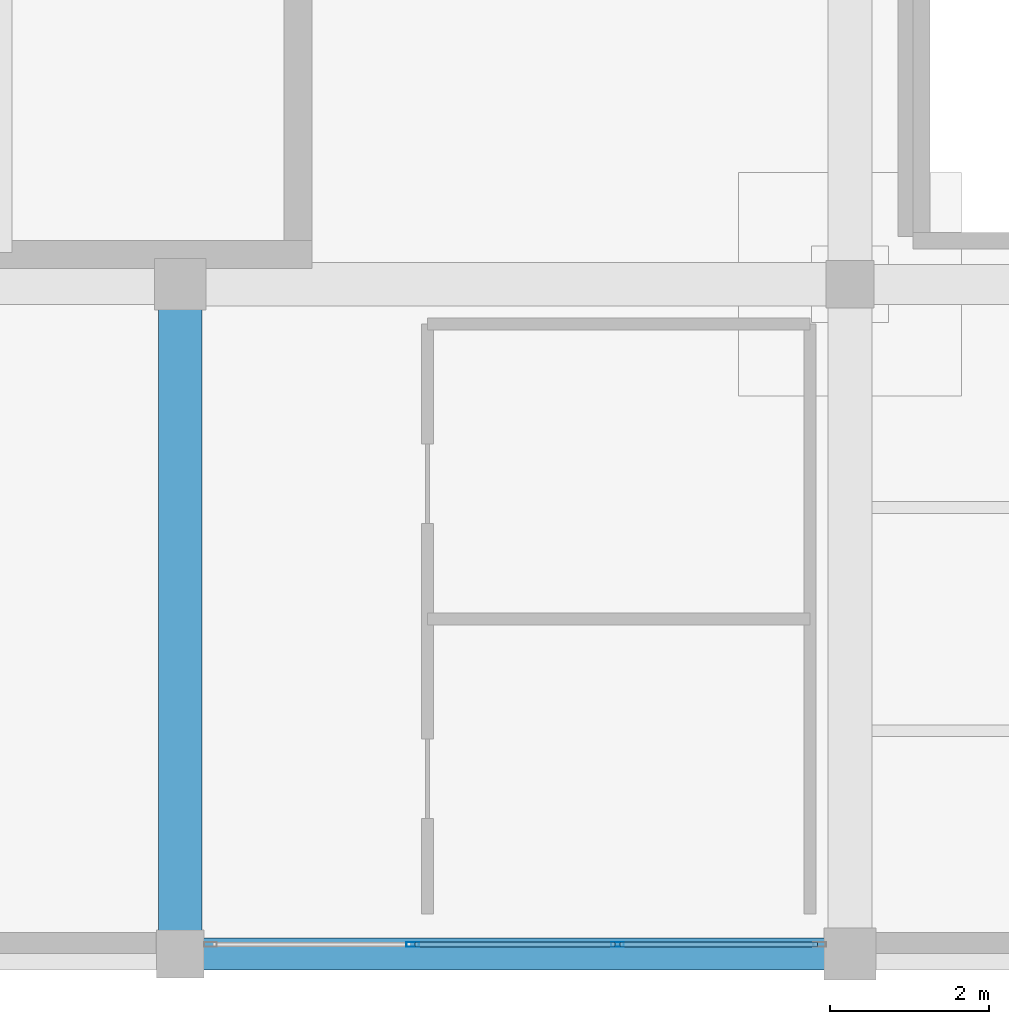
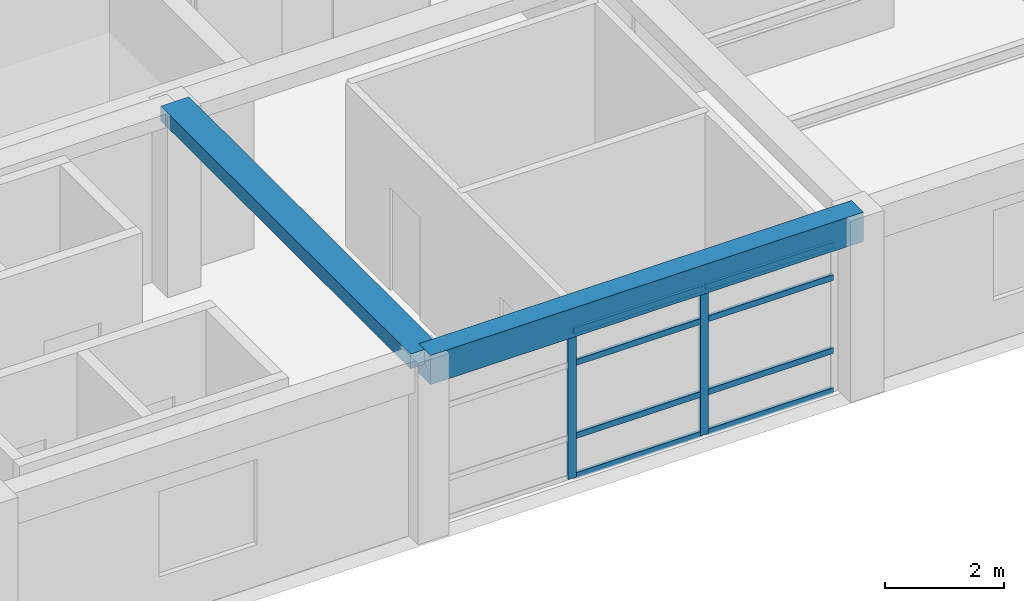
# One storey, part 3 of 26: 10 members, 2 beams, 1 element without a shape of its own.
"""IFC4 building model written with IfcOpenShell, lengths in metres."""

import ifcopenshell
import ifcopenshell.guid

model = None  # the IFC model being written
_history = None  # IfcOwnerHistory: only IFC2X3 demands one
_inside = {}  # id of a spatial element -> (the spatial element, [elements in it])
_under = {}  # id of a project, library or spatial element -> (it, [spatial elements below it])
_declared = {}  # id of a project -> (the project, [libraries it declares])
_typed = {}  # id of a type object -> (the type object, [elements of that type])
_made_of = {}  # id of a material, layer set ... -> (it, [elements and type objects made of it])


def new_model(schema):
    """Start an empty IFC model of exactly this schema.

    Asked for "IFC4X3", IfcOpenShell would pick the latest addendum, in which some entities
    have other attributes; the version numbers below select the first issue.
    IFC2X3 requires an IfcOwnerHistory on every rooted entity: one is made here for all.
    """
    global model, _history
    if schema == "IFC4X3":
        model = ifcopenshell.file(schema_version=(4, 3, 0, 0))
    else:
        model = ifcopenshell.file(schema=schema)
    _inside.clear()
    _under.clear()
    _declared.clear()
    _typed.clear()
    _made_of.clear()
    _history = None
    if model.schema == "IFC2X3":
        org = make("IfcOrganization", Name="unknown")
        user = make(
            "IfcPersonAndOrganization",
            ThePerson=make("IfcPerson", FamilyName="unknown"),
            TheOrganization=org,
        )
        app = make(
            "IfcApplication",
            ApplicationDeveloper=org,
            Version="unknown",
            ApplicationFullName="unknown",
            ApplicationIdentifier="unknown",
        )
        _history = make(
            "IfcOwnerHistory",
            OwningUser=user,
            OwningApplication=app,
            ChangeAction="ADDED",
            CreationDate=0,
        )
    return model


def make(cls, **values):
    """One entity of the class cls with the attributes given. An attribute that is None is left unset."""
    return model.create_entity(
        cls, **{name: value for name, value in values.items() if value is not None}
    )


def rooted(cls, **values):
    """An entity with a GlobalId (a new one), such as an element, a storey or a relation."""
    return make(cls, GlobalId=ifcopenshell.guid.new(), OwnerHistory=_history, **values)


def si_unit(unit_type, name, prefix=None):
    """IfcSIUnit, for example si_unit("LENGTHUNIT", "METRE", prefix="MILLI")."""
    return make("IfcSIUnit", UnitType=unit_type, Prefix=prefix, Name=name)


def assignment(units):
    """IfcUnitAssignment: the units of a project."""
    return None if units is None else make("IfcUnitAssignment", Units=units)


def point(xyz):
    """IfcCartesianPoint."""
    return None if xyz is None else make("IfcCartesianPoint", Coordinates=xyz)


def direction(xyz):
    """IfcDirection."""
    return None if xyz is None else make("IfcDirection", DirectionRatios=xyz)


def frame(location, z_axis=None, x_axis=None):
    """IfcAxis2Placement3D, a coordinate frame: its origin and axes. An axis left out is left unset."""
    return make(
        "IfcAxis2Placement3D",
        Location=point(location),
        Axis=direction(z_axis),
        RefDirection=direction(x_axis),
    )


def frame_2d(location, x_axis=None):
    """IfcAxis2Placement2D, a coordinate frame in the plane: its origin and x axis."""
    return make(
        "IfcAxis2Placement2D", Location=point(location), RefDirection=direction(x_axis)
    )


def origin():
    """The frame at (0, 0, 0) with its axes left unset."""
    return frame((0.0, 0.0, 0.0))


def origin_2d():
    """The frame at (0, 0) in the plane with its x axis left unset."""
    return frame_2d((0.0, 0.0))


def place(relative_to, where):
    """IfcLocalPlacement: puts the frame where relative to a parent placement (None: the world)."""
    return make(
        "IfcLocalPlacement", PlacementRelTo=relative_to, RelativePlacement=where
    )


def context(
    kind, dimensions, precision=None, world=None, true_north=None, identifier=None
):
    """IfcGeometricRepresentationContext, for example the 3D "Model" context."""
    return make(
        "IfcGeometricRepresentationContext",
        ContextIdentifier=identifier,
        ContextType=kind,
        CoordinateSpaceDimension=dimensions,
        Precision=precision,
        WorldCoordinateSystem=world,
        TrueNorth=true_north,
    )


def subcontext(parent, identifier, kind, view, scale=None):
    """IfcGeometricRepresentationSubContext, for example "Body" below "Model"."""
    return make(
        "IfcGeometricRepresentationSubContext",
        ContextIdentifier=identifier,
        ContextType=kind,
        ParentContext=parent,
        TargetScale=scale,
        TargetView=view,
    )


def project(units=None, contexts=None):
    """IfcProject with its units and contexts."""
    return rooted(
        "IfcProject",
        Name="project",
        RepresentationContexts=contexts,
        UnitsInContext=assignment(units),
    )


def spatial(cls, under=None, at=None, **own):
    """A site, building, storey or space (cls), placed at a placement, below another one or the project."""
    s = rooted(cls, ObjectPlacement=at, **own)
    if under is not None:
        _under.setdefault(under.id(), (under, []))[1].append(s)
    return s


def profile(cls, at=None, kind="AREA", **sizes):
    """A parametric profile (cls). Its sizes go by their IFC names, for example OverallWidth=200.0."""
    return make(cls, ProfileType=kind, Position=at, **sizes)


def rectangle(**sizes):
    """IfcRectangleProfileDef."""
    return profile("IfcRectangleProfileDef", **sizes)


def hollow_rectangle(**sizes):
    """IfcRectangleHollowProfileDef."""
    return profile("IfcRectangleHollowProfileDef", **sizes)


def extrude(swept, where, along, depth):
    """IfcExtrudedAreaSolid: the profile swept, set in the frame where, extruded along a direction by depth."""
    return make(
        "IfcExtrudedAreaSolid",
        SweptArea=swept,
        Position=where,
        ExtrudedDirection=direction(along),
        Depth=depth,
    )


def shape(context_of_items, identifier, shape_type, items):
    """IfcShapeRepresentation: the items that make up one representation, for example the "Body"."""
    return make(
        "IfcShapeRepresentation",
        ContextOfItems=context_of_items,
        RepresentationIdentifier=identifier,
        RepresentationType=shape_type,
        Items=items,
    )


def material(Name=None, Category=None):
    """IfcMaterial."""
    return make("IfcMaterial", Name=Name, Category=Category)


def material_profile(
    of_material, cross_section, Name=None, Category=None, Priority=None
):
    """IfcMaterialProfile: a cross section and its material."""
    return make(
        "IfcMaterialProfile",
        Name=Name,
        Material=of_material,
        Profile=cross_section,
        Priority=Priority,
        Category=Category,
    )


def profile_set(profiles, Name=None, composite=None):
    """IfcMaterialProfileSet."""
    return make(
        "IfcMaterialProfileSet",
        Name=Name,
        MaterialProfiles=profiles,
        CompositeProfile=composite,
    )


def made_of(thing, what):
    """Note that an element or type object is made of a material, layer set ...; save() writes the relation."""
    if what is not None:
        _made_of.setdefault(what.id(), (what, []))[1].append(thing)
    return thing


def type_object(cls, material=None, **own):
    """A type object (cls), such as IfcWallType, which elements share."""
    return made_of(rooted(cls, **own), material)


def element(
    cls,
    number,
    at=None,
    inside=None,
    cuts=None,
    type_object=None,
    material=None,
    context=None,
    identifier="Body",
    shape_type=None,
    held_by="IfcProductDefinitionShape",
    body=None,
    shapes=None,
    **own,
):
    """One element of the class cls, such as IfcWall. Its Tag is "e" and its number.

    at: its placement. inside: the storey or other place that contains it. cuts: it is an
    opening in that element (IfcRelVoidsElement). A single representation is given by context,
    identifier, shape_type and body (its items); several are given by shapes. held_by: the class
    of the entity that holds the representations. save() writes the other relations.
    """
    e = rooted(cls, Tag="e%d" % number, ObjectPlacement=at, **own)
    if body is not None:
        shapes = [shape(context, identifier, shape_type, body)]
    if shapes is not None:
        e.Representation = make(held_by, Representations=shapes)
    if inside is not None:
        _inside.setdefault(inside.id(), (inside, []))[1].append(e)
    if cuts is not None:
        rooted(
            "IfcRelVoidsElement", RelatingBuildingElement=cuts, RelatedOpeningElement=e
        )
    if type_object is not None:
        _typed.setdefault(type_object.id(), (type_object, []))[1].append(e)
    return made_of(e, material)


def aggregate(whole, parts):
    """IfcRelAggregates: a whole, such as a stair, and the parts it consists of."""
    return rooted("IfcRelAggregates", RelatingObject=whole, RelatedObjects=parts)


def save(model, path):
    """Write the relations noted so far, then the file.

    IfcRelAggregates (storeys below a building ...), IfcRelContainedInSpatialStructure (elements
    in a storey), IfcRelDefinesByType, IfcRelAssociatesMaterial and IfcRelDeclares: one each for
    every whole, place, type object, material and project.
    """
    for whole, parts in _under.values():
        aggregate(whole, parts)
    for where, things in _inside.values():
        rooted(
            "IfcRelContainedInSpatialStructure",
            RelatedElements=things,
            RelatingStructure=where,
        )
    for kind, things in _typed.values():
        rooted("IfcRelDefinesByType", RelatedObjects=things, RelatingType=kind)
    for what, things in _made_of.values():
        rooted("IfcRelAssociatesMaterial", RelatedObjects=things, RelatingMaterial=what)
    for by, libraries in _declared.values():
        rooted("IfcRelDeclares", RelatingContext=by, RelatedDefinitions=libraries)
    model.write(path)


model = new_model("IFC4")

# Units and contexts
model_context = context("Model", 3, precision=1e-05, world=origin(), true_north=direction((0.0, 1.0)))
body_context = subcontext(model_context, "Body", "Model", "MODEL_VIEW")
ifc_project = project(units=[si_unit("LENGTHUNIT", "METRE"), si_unit("AREAUNIT", "SQUARE_METRE"), si_unit("VOLUMEUNIT", "CUBIC_METRE"), si_unit("PLANEANGLEUNIT", "RADIAN"), si_unit("MASSUNIT", "GRAM", prefix="KILO")], contexts=[model_context])

# Site, building, storey
site_placement = place(None, origin())
site = spatial("IfcSite", under=ifc_project, at=site_placement, CompositionType="ELEMENT")
building_placement = place(site_placement, origin())
building = spatial("IfcBuilding", under=site, at=building_placement, Name="Almacenes y Pasaje Nevantli", CompositionType="ELEMENT")
storey_placement = place(building_placement, frame((0.0, 0.0, 54.699951171875)))
storey = spatial("IfcBuildingStorey", under=building, at=storey_placement, Name="L13", CompositionType="ELEMENT", Elevation=54.699951171875)

# Beams
ifc_material_1 = material(Name="Concrete C35/45", Category="concrete")
ifc_material_profile_1 = material_profile(ifc_material_1, rectangle(XDim=0.39990234375, YDim=0.60009765625, at=origin_2d()), Name="RC-BM-400x600")
ifc_profile_set_1 = profile_set([ifc_material_profile_1], Name="Concrete C35/45")
beam_type_1 = type_object("IfcBeamType", Name="BM-RC-400x600", PredefinedType="SPANDREL", material=ifc_profile_set_1)
beam_1_placement = place(storey_placement, frame((126.0, 67.199951171875, 3.420166015625), z_axis=(1.0, 0.0, 0.0), x_axis=(0.0, 1.0, 0.0)))
element("IfcBeam", 1, at=beam_1_placement, inside=storey, type_object=beam_type_1, Name="L13 East-West Reinforced Concrete Beam #3939", PredefinedType="SPANDREL", context=body_context, shape_type="SweptSolid", body=[
    extrude(rectangle(XDim=0.39990234375, YDim=0.60009765625, at=origin_2d()), origin(), (0.0, 0.0, 1.0), 8.39990234375),
])
ifc_material_2 = material(Name="Concrete C35/45", Category="concrete")
ifc_material_profile_2 = material_profile(ifc_material_2, rectangle(XDim=0.550048828125, YDim=0.300048828125, at=origin_2d()), Name="RC-BM-550x300")
ifc_profile_set_2 = profile_set([ifc_material_profile_2], Name="Concrete C35/45")
beam_type_2 = type_object("IfcBeamType", Name="BM-RC-550x300", PredefinedType="BEAM", material=ifc_profile_set_2)
beam_2_placement = place(storey_placement, frame((126.0, 67.199951171875, 3.570068359375), z_axis=(0.0, 1.0, 0.0), x_axis=(-1.0, 0.0, 0.0)))
element("IfcBeam", 2, at=beam_2_placement, inside=storey, type_object=beam_type_2, Name="L13 North-South Reinforced Concrete Beam #3967", PredefinedType="BEAM", context=body_context, shape_type="SweptSolid", body=[
    extrude(rectangle(XDim=0.550048828125, YDim=0.300048828125, at=origin_2d()), origin(), (0.0, 0.0, 1.0), 8.400146484375),
])

# Curtain wall, members
ifc_material_3 = material(Name="Thermally Broken Aluminium and Low-E Glass", Category="aluminium")
curtain_wall_type = type_object("IfcCurtainWallType", Name="CW-UNIT-TOWER", PredefinedType="USERDEFINED", material=ifc_material_3)
curtain_wall_placement = place(storey_placement, origin())
curtain_wall = element("IfcCurtainWall", 3, at=curtain_wall_placement, inside=storey, type_object=curtain_wall_type, Name="L13 Tower South Unitized Curtain Wall Bay 16", ObjectType="UNITIZED CURTAIN WALL", PredefinedType="USERDEFINED")
ifc_material_4 = material(Name="Thermally Broken Anodized Aluminium", Category="aluminium")
ifc_material_profile_3 = material_profile(ifc_material_4, hollow_rectangle(XDim=0.06005859375, YDim=0.159912109375, WallThickness=0.00390625, at=origin_2d()), Name="ALU-MUL-60x160")
ifc_profile_set_3 = profile_set([ifc_material_profile_3], Name="Thermally Broken Anodized Aluminium")
member_type_1 = type_object("IfcMemberType", Name="CW-MUL-180", PredefinedType="MULLION", material=ifc_profile_set_3)
member_1_placement = place(storey_placement, frame((128.916748046875, 67.320068359375, 0.0), z_axis=(0.0, 0.0, 1.0), x_axis=(0.0, 1.0, 0.0)))
member_1 = element("IfcMember", 4, at=member_1_placement, type_object=member_type_1, Name="CW-L13-169 mullion 2", PredefinedType="MULLION", context=body_context, shape_type="SweptSolid", body=[
    extrude(hollow_rectangle(XDim=0.06005859375, YDim=0.159912109375, WallThickness=0.00390625, at=origin_2d()), origin(), (0.0, 0.0, 1.0), 3.0400390625),
])
member_2_placement = place(storey_placement, frame((131.4833984375, 67.320068359375, 0.0), z_axis=(0.0, 0.0, 1.0), x_axis=(0.0, 1.0, 0.0)))
member_2 = element("IfcMember", 5, at=member_2_placement, type_object=member_type_1, Name="CW-L13-169 mullion 3", PredefinedType="MULLION", context=body_context, shape_type="SweptSolid", body=[
    extrude(hollow_rectangle(XDim=0.06005859375, YDim=0.159912109375, WallThickness=0.00390625, at=origin_2d()), origin(), (0.0, 0.0, 1.0), 3.0400390625),
])
ifc_material_5 = material(Name="Thermally Broken Anodized Aluminium", Category="aluminium")
ifc_material_profile_4 = material_profile(ifc_material_5, hollow_rectangle(XDim=0.06005859375, YDim=0.1201171875, WallThickness=0.00341796875, at=origin_2d()), Name="ALU-TRN-60x120")
ifc_profile_set_4 = profile_set([ifc_material_profile_4], Name="Thermally Broken Anodized Aluminium")
member_type_2 = type_object("IfcMemberType", Name="CW-TRN-130", PredefinedType="USERDEFINED", material=ifc_profile_set_4)
member_3_placement = place(storey_placement, frame((128.94677734375, 67.320068359375, 0.030029296875), z_axis=(1.0, 0.0, 0.0), x_axis=(0.0, 1.0, 0.0)))
member_3 = element("IfcMember", 6, at=member_3_placement, type_object=member_type_2, Name="CW-L13-169 transom 2.1", ObjectType="TRANSOM", PredefinedType="USERDEFINED", context=body_context, shape_type="SweptSolid", body=[
    extrude(hollow_rectangle(XDim=0.06005859375, YDim=0.1201171875, WallThickness=0.00341796875, at=origin_2d()), origin(), (0.0, 0.0, 1.0), 2.506591796875),
])
member_4_placement = place(storey_placement, frame((128.94677734375, 67.320068359375, 0.85009765625), z_axis=(1.0, 0.0, 0.0), x_axis=(0.0, 1.0, 0.0)))
member_4 = element("IfcMember", 7, at=member_4_placement, type_object=member_type_2, Name="CW-L13-169 transom 2.2", ObjectType="TRANSOM", PredefinedType="USERDEFINED", context=body_context, shape_type="SweptSolid", body=[
    extrude(hollow_rectangle(XDim=0.06005859375, YDim=0.1201171875, WallThickness=0.00341796875, at=origin_2d()), origin(), (0.0, 0.0, 1.0), 2.506591796875),
])
member_5_placement = place(storey_placement, frame((128.94677734375, 67.320068359375, 2.35009765625), z_axis=(1.0, 0.0, 0.0), x_axis=(0.0, 1.0, 0.0)))
member_5 = element("IfcMember", 8, at=member_5_placement, type_object=member_type_2, Name="CW-L13-169 transom 2.3", ObjectType="TRANSOM", PredefinedType="USERDEFINED", context=body_context, shape_type="SweptSolid", body=[
    extrude(hollow_rectangle(XDim=0.06005859375, YDim=0.1201171875, WallThickness=0.00341796875, at=origin_2d()), origin(), (0.0, 0.0, 1.0), 2.506591796875),
])
member_6_placement = place(storey_placement, frame((128.94677734375, 67.320068359375, 3.010009765625), z_axis=(1.0, 0.0, 0.0), x_axis=(0.0, 1.0, 0.0)))
member_6 = element("IfcMember", 9, at=member_6_placement, type_object=member_type_2, Name="CW-L13-169 transom 2.4", ObjectType="TRANSOM", PredefinedType="USERDEFINED", context=body_context, shape_type="SweptSolid", body=[
    extrude(hollow_rectangle(XDim=0.06005859375, YDim=0.1201171875, WallThickness=0.00341796875, at=origin_2d()), origin(), (0.0, 0.0, 1.0), 2.506591796875),
])
member_7_placement = place(storey_placement, frame((131.513427734375, 67.320068359375, 0.030029296875), z_axis=(1.0, 0.0, 0.0), x_axis=(0.0, 1.0, 0.0)))
member_7 = element("IfcMember", 10, at=member_7_placement, type_object=member_type_2, Name="CW-L13-169 transom 3.1", ObjectType="TRANSOM", PredefinedType="USERDEFINED", context=body_context, shape_type="SweptSolid", body=[
    extrude(hollow_rectangle(XDim=0.06005859375, YDim=0.1201171875, WallThickness=0.00341796875, at=origin_2d()), origin(), (0.0, 0.0, 1.0), 2.4765625),
])
member_8_placement = place(storey_placement, frame((131.513427734375, 67.320068359375, 0.85009765625), z_axis=(1.0, 0.0, 0.0), x_axis=(0.0, 1.0, 0.0)))
member_8 = element("IfcMember", 11, at=member_8_placement, type_object=member_type_2, Name="CW-L13-169 transom 3.2", ObjectType="TRANSOM", PredefinedType="USERDEFINED", context=body_context, shape_type="SweptSolid", body=[
    extrude(hollow_rectangle(XDim=0.06005859375, YDim=0.1201171875, WallThickness=0.00341796875, at=origin_2d()), origin(), (0.0, 0.0, 1.0), 2.4765625),
])
member_9_placement = place(storey_placement, frame((131.513427734375, 67.320068359375, 2.35009765625), z_axis=(1.0, 0.0, 0.0), x_axis=(0.0, 1.0, 0.0)))
member_9 = element("IfcMember", 12, at=member_9_placement, type_object=member_type_2, Name="CW-L13-169 transom 3.3", ObjectType="TRANSOM", PredefinedType="USERDEFINED", context=body_context, shape_type="SweptSolid", body=[
    extrude(hollow_rectangle(XDim=0.06005859375, YDim=0.1201171875, WallThickness=0.00341796875, at=origin_2d()), origin(), (0.0, 0.0, 1.0), 2.4765625),
])
member_10_placement = place(storey_placement, frame((131.513427734375, 67.320068359375, 3.010009765625), z_axis=(1.0, 0.0, 0.0), x_axis=(0.0, 1.0, 0.0)))
member_10 = element("IfcMember", 13, at=member_10_placement, type_object=member_type_2, Name="CW-L13-169 transom 3.4", ObjectType="TRANSOM", PredefinedType="USERDEFINED", context=body_context, shape_type="SweptSolid", body=[
    extrude(hollow_rectangle(XDim=0.06005859375, YDim=0.1201171875, WallThickness=0.00341796875, at=origin_2d()), origin(), (0.0, 0.0, 1.0), 2.4765625),
])
aggregate(curtain_wall, [member_1, member_2, member_3, member_4, member_5, member_6, member_7, member_8, member_9, member_10])

save(model, "model.ifc")
